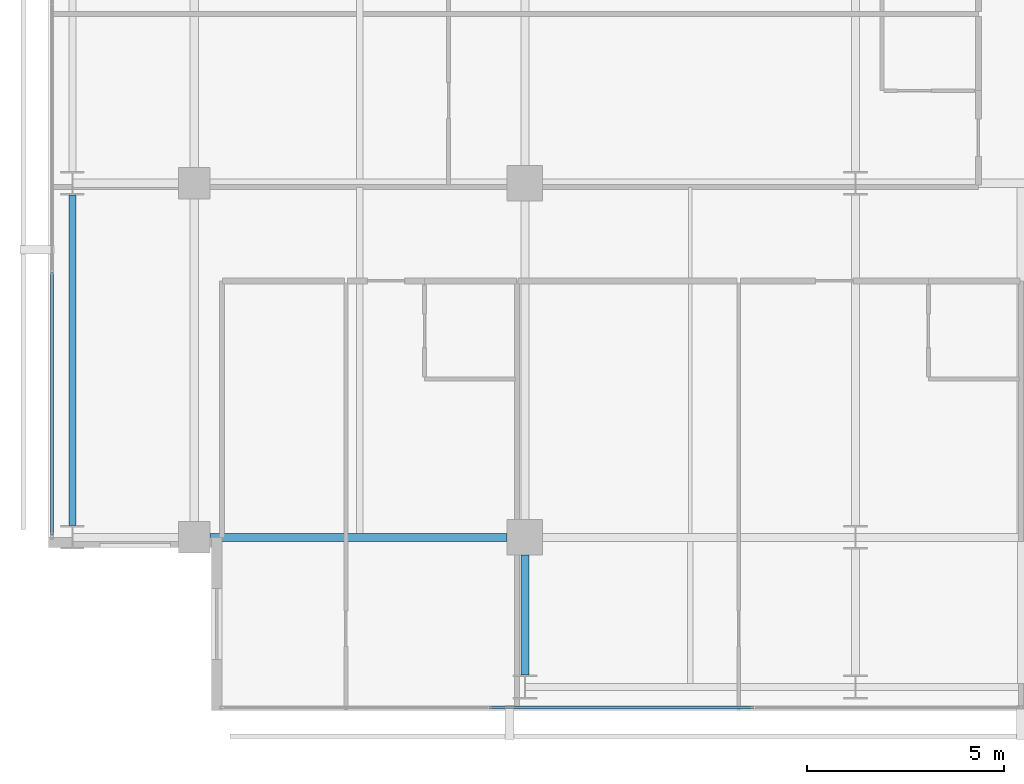
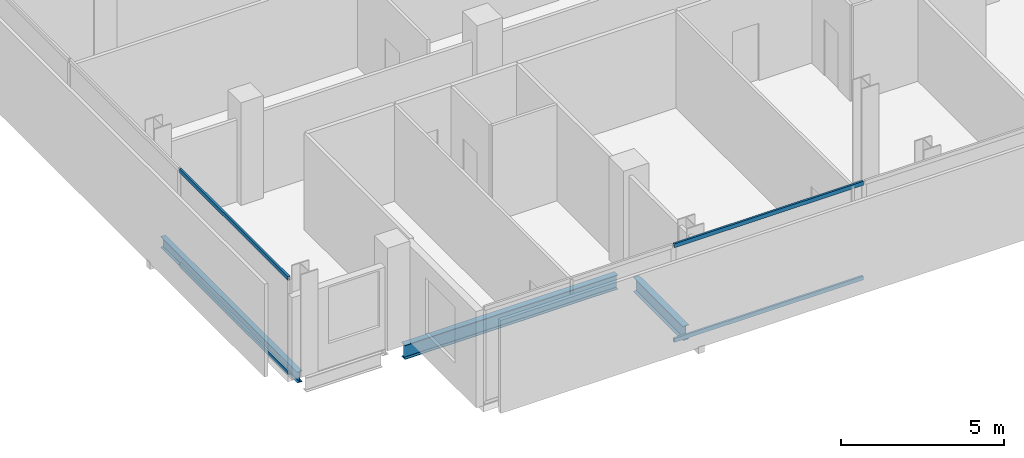
# One storey, part 3 of 34: 4 members, 3 beams, 2 elements without a shape of their own.
"""IFC4 building model written with IfcOpenShell, lengths in metres."""

import ifcopenshell
import ifcopenshell.guid

model = None  # the IFC model being written
_history = None  # IfcOwnerHistory: only IFC2X3 demands one
_inside = {}  # id of a spatial element -> (the spatial element, [elements in it])
_under = {}  # id of a project, library or spatial element -> (it, [spatial elements below it])
_declared = {}  # id of a project -> (the project, [libraries it declares])
_typed = {}  # id of a type object -> (the type object, [elements of that type])
_made_of = {}  # id of a material, layer set ... -> (it, [elements and type objects made of it])


def new_model(schema):
    """Start an empty IFC model of exactly this schema.

    Asked for "IFC4X3", IfcOpenShell would pick the latest addendum, in which some entities
    have other attributes; the version numbers below select the first issue.
    IFC2X3 requires an IfcOwnerHistory on every rooted entity: one is made here for all.
    """
    global model, _history
    if schema == "IFC4X3":
        model = ifcopenshell.file(schema_version=(4, 3, 0, 0))
    else:
        model = ifcopenshell.file(schema=schema)
    _inside.clear()
    _under.clear()
    _declared.clear()
    _typed.clear()
    _made_of.clear()
    _history = None
    if model.schema == "IFC2X3":
        org = make("IfcOrganization", Name="unknown")
        user = make(
            "IfcPersonAndOrganization",
            ThePerson=make("IfcPerson", FamilyName="unknown"),
            TheOrganization=org,
        )
        app = make(
            "IfcApplication",
            ApplicationDeveloper=org,
            Version="unknown",
            ApplicationFullName="unknown",
            ApplicationIdentifier="unknown",
        )
        _history = make(
            "IfcOwnerHistory",
            OwningUser=user,
            OwningApplication=app,
            ChangeAction="ADDED",
            CreationDate=0,
        )
    return model


def make(cls, **values):
    """One entity of the class cls with the attributes given. An attribute that is None is left unset."""
    return model.create_entity(
        cls, **{name: value for name, value in values.items() if value is not None}
    )


def rooted(cls, **values):
    """An entity with a GlobalId (a new one), such as an element, a storey or a relation."""
    return make(cls, GlobalId=ifcopenshell.guid.new(), OwnerHistory=_history, **values)


def si_unit(unit_type, name, prefix=None):
    """IfcSIUnit, for example si_unit("LENGTHUNIT", "METRE", prefix="MILLI")."""
    return make("IfcSIUnit", UnitType=unit_type, Prefix=prefix, Name=name)


def assignment(units):
    """IfcUnitAssignment: the units of a project."""
    return None if units is None else make("IfcUnitAssignment", Units=units)


def point(xyz):
    """IfcCartesianPoint."""
    return None if xyz is None else make("IfcCartesianPoint", Coordinates=xyz)


def direction(xyz):
    """IfcDirection."""
    return None if xyz is None else make("IfcDirection", DirectionRatios=xyz)


def frame(location, z_axis=None, x_axis=None):
    """IfcAxis2Placement3D, a coordinate frame: its origin and axes. An axis left out is left unset."""
    return make(
        "IfcAxis2Placement3D",
        Location=point(location),
        Axis=direction(z_axis),
        RefDirection=direction(x_axis),
    )


def frame_2d(location, x_axis=None):
    """IfcAxis2Placement2D, a coordinate frame in the plane: its origin and x axis."""
    return make(
        "IfcAxis2Placement2D", Location=point(location), RefDirection=direction(x_axis)
    )


def origin():
    """The frame at (0, 0, 0) with its axes left unset."""
    return frame((0.0, 0.0, 0.0))


def origin_2d():
    """The frame at (0, 0) in the plane with its x axis left unset."""
    return frame_2d((0.0, 0.0))


def place(relative_to, where):
    """IfcLocalPlacement: puts the frame where relative to a parent placement (None: the world)."""
    return make(
        "IfcLocalPlacement", PlacementRelTo=relative_to, RelativePlacement=where
    )


def context(
    kind, dimensions, precision=None, world=None, true_north=None, identifier=None
):
    """IfcGeometricRepresentationContext, for example the 3D "Model" context."""
    return make(
        "IfcGeometricRepresentationContext",
        ContextIdentifier=identifier,
        ContextType=kind,
        CoordinateSpaceDimension=dimensions,
        Precision=precision,
        WorldCoordinateSystem=world,
        TrueNorth=true_north,
    )


def subcontext(parent, identifier, kind, view, scale=None):
    """IfcGeometricRepresentationSubContext, for example "Body" below "Model"."""
    return make(
        "IfcGeometricRepresentationSubContext",
        ContextIdentifier=identifier,
        ContextType=kind,
        ParentContext=parent,
        TargetScale=scale,
        TargetView=view,
    )


def project(units=None, contexts=None):
    """IfcProject with its units and contexts."""
    return rooted(
        "IfcProject",
        Name="project",
        RepresentationContexts=contexts,
        UnitsInContext=assignment(units),
    )


def spatial(cls, under=None, at=None, **own):
    """A site, building, storey or space (cls), placed at a placement, below another one or the project."""
    s = rooted(cls, ObjectPlacement=at, **own)
    if under is not None:
        _under.setdefault(under.id(), (under, []))[1].append(s)
    return s


def profile(cls, at=None, kind="AREA", **sizes):
    """A parametric profile (cls). Its sizes go by their IFC names, for example OverallWidth=200.0."""
    return make(cls, ProfileType=kind, Position=at, **sizes)


def hollow_rectangle(**sizes):
    """IfcRectangleHollowProfileDef."""
    return profile("IfcRectangleHollowProfileDef", **sizes)


def i_section(**sizes):
    """IfcIShapeProfileDef."""
    return profile("IfcIShapeProfileDef", **sizes)


def extrude(swept, where, along, depth):
    """IfcExtrudedAreaSolid: the profile swept, set in the frame where, extruded along a direction by depth."""
    return make(
        "IfcExtrudedAreaSolid",
        SweptArea=swept,
        Position=where,
        ExtrudedDirection=direction(along),
        Depth=depth,
    )


def shape(context_of_items, identifier, shape_type, items):
    """IfcShapeRepresentation: the items that make up one representation, for example the "Body"."""
    return make(
        "IfcShapeRepresentation",
        ContextOfItems=context_of_items,
        RepresentationIdentifier=identifier,
        RepresentationType=shape_type,
        Items=items,
    )


def material(Name=None, Category=None):
    """IfcMaterial."""
    return make("IfcMaterial", Name=Name, Category=Category)


def layer(
    of_material, thickness, ventilated=None, Name=None, Category=None, Priority=None
):
    """IfcMaterialLayer: one layer of a wall or slab, of a material (None: an air gap)."""
    return make(
        "IfcMaterialLayer",
        Material=of_material,
        LayerThickness=thickness,
        IsVentilated=ventilated,
        Name=Name,
        Category=Category,
        Priority=Priority,
    )


def layer_set(layers, Name=None):
    """IfcMaterialLayerSet."""
    return make("IfcMaterialLayerSet", MaterialLayers=layers, LayerSetName=Name)


def material_profile(
    of_material, cross_section, Name=None, Category=None, Priority=None
):
    """IfcMaterialProfile: a cross section and its material."""
    return make(
        "IfcMaterialProfile",
        Name=Name,
        Material=of_material,
        Profile=cross_section,
        Priority=Priority,
        Category=Category,
    )


def profile_set(profiles, Name=None, composite=None):
    """IfcMaterialProfileSet."""
    return make(
        "IfcMaterialProfileSet",
        Name=Name,
        MaterialProfiles=profiles,
        CompositeProfile=composite,
    )


def made_of(thing, what):
    """Note that an element or type object is made of a material, layer set ...; save() writes the relation."""
    if what is not None:
        _made_of.setdefault(what.id(), (what, []))[1].append(thing)
    return thing


def type_object(cls, material=None, **own):
    """A type object (cls), such as IfcWallType, which elements share."""
    return made_of(rooted(cls, **own), material)


def element(
    cls,
    number,
    at=None,
    inside=None,
    cuts=None,
    type_object=None,
    material=None,
    context=None,
    identifier="Body",
    shape_type=None,
    held_by="IfcProductDefinitionShape",
    body=None,
    shapes=None,
    **own,
):
    """One element of the class cls, such as IfcWall. Its Tag is "e" and its number.

    at: its placement. inside: the storey or other place that contains it. cuts: it is an
    opening in that element (IfcRelVoidsElement). A single representation is given by context,
    identifier, shape_type and body (its items); several are given by shapes. held_by: the class
    of the entity that holds the representations. save() writes the other relations.
    """
    e = rooted(cls, Tag="e%d" % number, ObjectPlacement=at, **own)
    if body is not None:
        shapes = [shape(context, identifier, shape_type, body)]
    if shapes is not None:
        e.Representation = make(held_by, Representations=shapes)
    if inside is not None:
        _inside.setdefault(inside.id(), (inside, []))[1].append(e)
    if cuts is not None:
        rooted(
            "IfcRelVoidsElement", RelatingBuildingElement=cuts, RelatedOpeningElement=e
        )
    if type_object is not None:
        _typed.setdefault(type_object.id(), (type_object, []))[1].append(e)
    return made_of(e, material)


def aggregate(whole, parts):
    """IfcRelAggregates: a whole, such as a stair, and the parts it consists of."""
    return rooted("IfcRelAggregates", RelatingObject=whole, RelatedObjects=parts)


def save(model, path):
    """Write the relations noted so far, then the file.

    IfcRelAggregates (storeys below a building ...), IfcRelContainedInSpatialStructure (elements
    in a storey), IfcRelDefinesByType, IfcRelAssociatesMaterial and IfcRelDeclares: one each for
    every whole, place, type object, material and project.
    """
    for whole, parts in _under.values():
        aggregate(whole, parts)
    for where, things in _inside.values():
        rooted(
            "IfcRelContainedInSpatialStructure",
            RelatedElements=things,
            RelatingStructure=where,
        )
    for kind, things in _typed.values():
        rooted("IfcRelDefinesByType", RelatedObjects=things, RelatingType=kind)
    for what, things in _made_of.values():
        rooted("IfcRelAssociatesMaterial", RelatedObjects=things, RelatingMaterial=what)
    for by, libraries in _declared.values():
        rooted("IfcRelDeclares", RelatingContext=by, RelatedDefinitions=libraries)
    model.write(path)


model = new_model("IFC4")

# Units and contexts
model_context = context("Model", 3, precision=1e-05, world=origin(), true_north=direction((0.0, 1.0)))
body_context = subcontext(model_context, "Body", "Model", "MODEL_VIEW")
ifc_project = project(units=[si_unit("LENGTHUNIT", "METRE"), si_unit("AREAUNIT", "SQUARE_METRE"), si_unit("VOLUMEUNIT", "CUBIC_METRE"), si_unit("PLANEANGLEUNIT", "RADIAN"), si_unit("MASSUNIT", "GRAM", prefix="KILO")], contexts=[model_context])

# Site, building, storey
site_placement = place(None, origin())
site = spatial("IfcSite", under=ifc_project, at=site_placement, CompositionType="ELEMENT")
building_placement = place(site_placement, origin())
building = spatial("IfcBuilding", under=site, at=building_placement, Name="Maruvema Waterfront Hotel and Observation Tower", CompositionType="ELEMENT")
storey_placement = place(building_placement, frame((0.0, 0.0, 215.949951171875)))
storey = spatial("IfcBuildingStorey", under=building, at=storey_placement, Name="L53", CompositionType="ELEMENT", Elevation=215.949951171875)

# Curtain wall, members
ifc_material_1 = material(Name="Anodised bronze aluminium and solar-control low-E IGU", Category="aluminium")
ifc_layer = layer(ifc_material_1, 0.159912109375, Name="Zone 2 Amber Inner Thermal Curtain Wall System CW-03")
ifc_layer_set = layer_set([ifc_layer], Name="Anodised bronze aluminium and solar-control low-E IGU")
curtain_wall_type = type_object("IfcCurtainWallType", Name="Zone 2 Amber Inner Thermal Curtain Wall System CW-03", PredefinedType="USERDEFINED", material=ifc_layer_set)
curtain_wall_1_placement = place(storey_placement, origin())
curtain_wall_1 = element("IfcCurtainWall", 1, at=curtain_wall_1_placement, inside=storey, type_object=curtain_wall_type, Name="L53 Curtain Wall CW-L53-S", ObjectType="UNITISED CURTAIN WALL", PredefinedType="USERDEFINED")
ifc_material_2 = material(Name="Anodised architectural bronze aluminium", Category="aluminium")
ifc_material_profile_1 = material_profile(ifc_material_2, hollow_rectangle(XDim=0.070068359375, YDim=0.14990234375, WallThickness=0.00390625, at=origin_2d()), Name="ALU-T70x150")
ifc_profile_set_1 = profile_set([ifc_material_profile_1], Name="Anodised architectural bronze aluminium")
member_type = type_object("IfcMemberType", Name="Curtain Wall Horizontal Transom ALU-T70x150", PredefinedType="USERDEFINED", material=ifc_profile_set_1)
member_1_placement = place(storey_placement, frame((24.296630859375, 4.679931640625, 0.030029296875), z_axis=(1.0, 0.0, 0.0), x_axis=(0.0, 1.0, 0.0)))
member_1 = element("IfcMember", 2, at=member_1_placement, type_object=member_type, Name="CW-03 transom 2.1", ObjectType="TRANSOM", PredefinedType="USERDEFINED", context=body_context, shape_type="SweptSolid", body=[
    extrude(hollow_rectangle(XDim=0.070068359375, YDim=0.14990234375, WallThickness=0.00390625, at=origin_2d()), origin(), (0.0, 0.0, 1.0), 6.706787109375),
])
member_2_placement = place(storey_placement, frame((24.296630859375, 4.679931640625, 3.580078125), z_axis=(1.0, 0.0, 0.0), x_axis=(0.0, 1.0, 0.0)))
member_2 = element("IfcMember", 3, at=member_2_placement, type_object=member_type, Name="CW-03 transom 2.2", ObjectType="TRANSOM", PredefinedType="USERDEFINED", context=body_context, shape_type="SweptSolid", body=[
    extrude(hollow_rectangle(XDim=0.070068359375, YDim=0.14990234375, WallThickness=0.00390625, at=origin_2d()), origin(), (0.0, 0.0, 1.0), 6.706787109375),
])
aggregate(curtain_wall_1, [member_1, member_2])

curtain_wall_2_placement = place(storey_placement, origin())
curtain_wall_2 = element("IfcCurtainWall", 4, at=curtain_wall_2_placement, inside=storey, type_object=curtain_wall_type, Name="L53 Curtain Wall CW-L53-W", ObjectType="UNITISED CURTAIN WALL", PredefinedType="USERDEFINED")
member_3_placement = place(storey_placement, frame((13.179931640625, 15.736572265625, 0.030029296875), z_axis=(0.0, -1.0, 0.0), x_axis=(1.0, 0.0, 0.0)))
member_3 = element("IfcMember", 5, at=member_3_placement, type_object=member_type, Name="CW-03 transom 6.1", ObjectType="TRANSOM", PredefinedType="USERDEFINED", context=body_context, shape_type="SweptSolid", body=[
    extrude(hollow_rectangle(XDim=0.070068359375, YDim=0.14990234375, WallThickness=0.00390625, at=origin_2d()), origin(), (0.0, 0.0, 1.0), 6.676513671875),
])
member_4_placement = place(storey_placement, frame((13.179931640625, 15.736572265625, 3.580078125), z_axis=(0.0, -1.0, 0.0), x_axis=(1.0, 0.0, 0.0)))
member_4 = element("IfcMember", 6, at=member_4_placement, type_object=member_type, Name="CW-03 transom 6.2", ObjectType="TRANSOM", PredefinedType="USERDEFINED", context=body_context, shape_type="SweptSolid", body=[
    extrude(hollow_rectangle(XDim=0.070068359375, YDim=0.14990234375, WallThickness=0.00390625, at=origin_2d()), origin(), (0.0, 0.0, 1.0), 6.676513671875),
])
aggregate(curtain_wall_2, [member_3, member_4])

# Beams
ifc_material_3 = material(Name="Steel ASTM A572 Grade 50", Category="steel")
ifc_material_profile_2 = material_profile(ifc_material_3, i_section(OverallWidth=0.178955078125, OverallDepth=0.409912109375, WebThickness=0.0087890625, FlangeThickness=0.014404296875, FilletRadius=0.014892578125, at=origin_2d()), Name="W410x67.0")
ifc_profile_set_2 = profile_set([ifc_material_profile_2], Name="Steel ASTM A572 Grade 50")
beam_type_1 = type_object("IfcBeamType", Name="Perimeter Spandrel Beam W410x67.0", PredefinedType="SPANDREL", material=ifc_profile_set_2)
beam_1_placement = place(storey_placement, frame((13.699951171875, 9.300048828125, -0.445068359375), z_axis=(0.0, 1.0, 0.0), x_axis=(-1.0, 0.0, 0.0)))
element("IfcBeam", 7, at=beam_1_placement, inside=storey, type_object=beam_type_1, Name="L53 Floor Girder NS-01", PredefinedType="SPANDREL", context=body_context, shape_type="SweptSolid", body=[
    extrude(i_section(OverallWidth=0.178955078125, OverallDepth=0.409912109375, WebThickness=0.0087890625, FlangeThickness=0.014404296875, FilletRadius=0.014892578125, at=origin_2d()), origin(), (0.0, 0.0, 1.0), 8.39990234375),
])
ifc_material_4 = material(Name="Steel ASTM A572 Grade 50", Category="steel")
ifc_material_profile_3 = material_profile(ifc_material_4, i_section(OverallWidth=0.2109375, OverallDepth=0.5390625, WebThickness=0.01171875, FlangeThickness=0.018798828125, FilletRadius=0.014892578125, at=origin_2d()), Name="W530x109.0")
ifc_profile_set_3 = profile_set([ifc_material_profile_3], Name="Steel ASTM A572 Grade 50")
beam_type_2 = type_object("IfcBeamType", Name="Primary Floor Girder W530x109.0", PredefinedType="BEAM", material=ifc_profile_set_3)
beam_2_placement = place(storey_placement, frame((17.199951171875, 9.0, -0.509521484375), z_axis=(1.0, 0.0, 0.0), x_axis=(0.0, 1.0, 0.0)))
element("IfcBeam", 8, at=beam_2_placement, inside=storey, type_object=beam_type_2, Name="L53 Floor Girder EW-05", PredefinedType="BEAM", context=body_context, shape_type="SweptSolid", body=[
    extrude(i_section(OverallWidth=0.2109375, OverallDepth=0.5390625, WebThickness=0.01171875, FlangeThickness=0.018798828125, FilletRadius=0.014892578125, at=origin_2d()), origin(), (0.0, 0.0, 1.0), 7.550048828125),
])
beam_3_placement = place(storey_placement, frame((25.199951171875, 5.5, -0.509521484375), z_axis=(0.0, 1.0, 0.0), x_axis=(-1.0, 0.0, 0.0)))
element("IfcBeam", 9, at=beam_3_placement, inside=storey, type_object=beam_type_2, Name="L53 Floor Girder NS-09", PredefinedType="BEAM", context=body_context, shape_type="SweptSolid", body=[
    extrude(i_section(OverallWidth=0.2109375, OverallDepth=0.5390625, WebThickness=0.01171875, FlangeThickness=0.018798828125, FilletRadius=0.014892578125, at=origin_2d()), origin(), (0.0, 0.0, 1.0), 3.050048828125),
])

save(model, "model.ifc")
